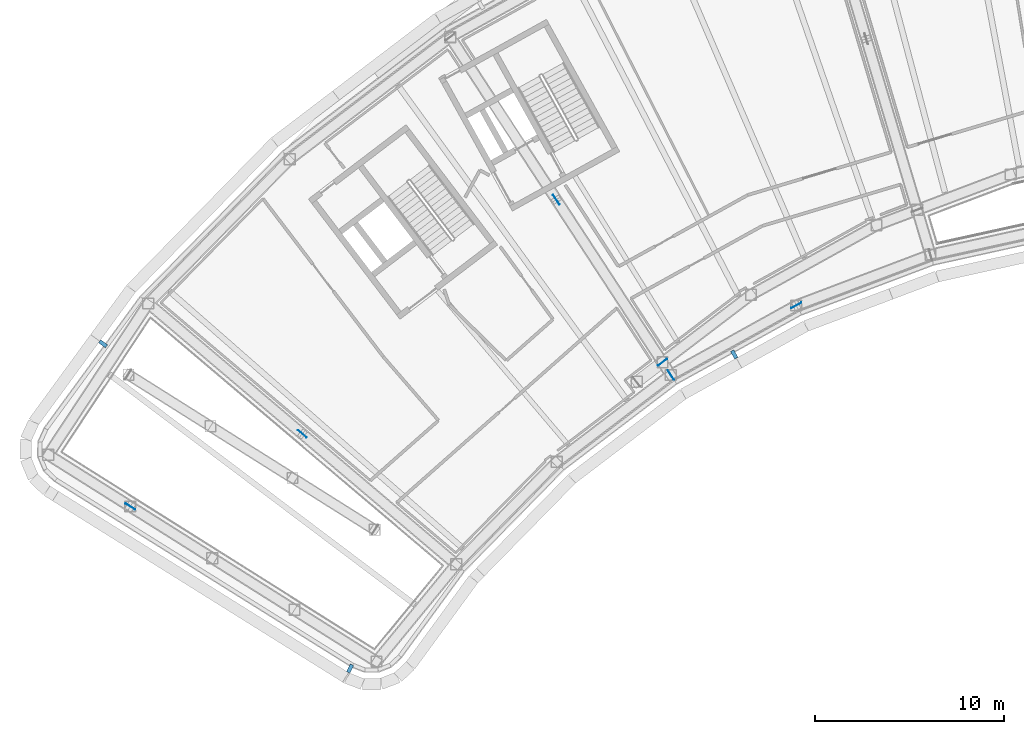
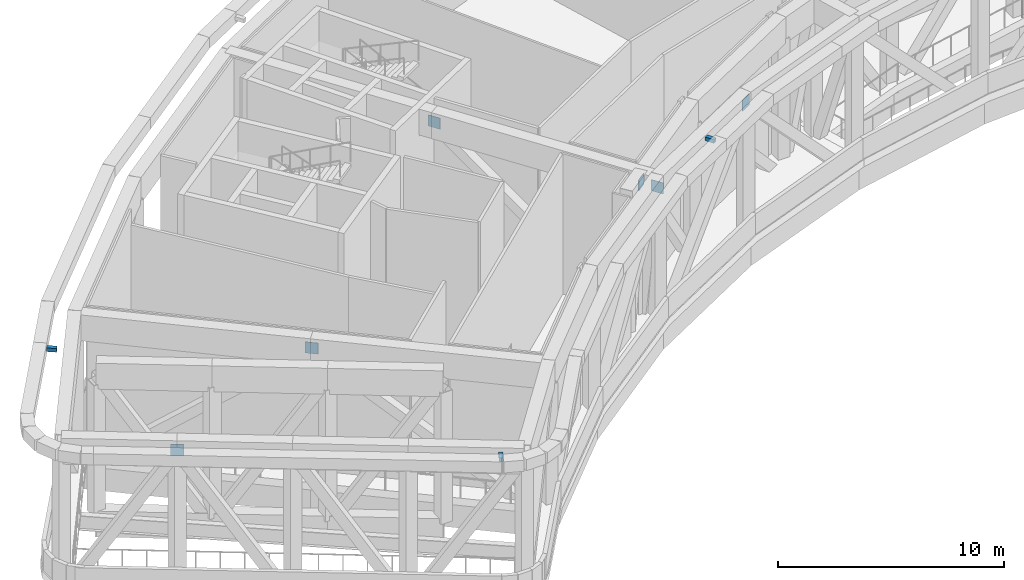
# One storey, part 15 of 24: 9 discrete accessories.
"""IFC4 building model written with IfcOpenShell, lengths in metres."""

from ifc_helpers import new_model, si_unit, direction, frame, origin, origin_2d, place, context, subcontext, project, spatial, rectangle, extrude, material, type_object, element, save


model = new_model("IFC4")

# Units and contexts
model_context = context("Model", 3, precision=1e-05, world=origin(), true_north=direction((0.0, 1.0)))
body_context = subcontext(model_context, "Body", "Model", "MODEL_VIEW")
ifc_project = project(units=[si_unit("LENGTHUNIT", "METRE"), si_unit("AREAUNIT", "SQUARE_METRE"), si_unit("VOLUMEUNIT", "CUBIC_METRE"), si_unit("PLANEANGLEUNIT", "RADIAN"), si_unit("MASSUNIT", "GRAM", prefix="KILO")], contexts=[model_context])

# Site, building, storey
site_placement = place(None, origin())
site = spatial("IfcSite", under=ifc_project, at=site_placement, CompositionType="ELEMENT")
building_placement = place(site_placement, origin())
building = spatial("IfcBuilding", under=site, at=building_placement, Name="Tuul Gate Civic Tower", CompositionType="ELEMENT")
storey_placement = place(building_placement, frame((0.0, 0.0, 277.800048828125)))
storey = spatial("IfcBuildingStorey", under=building, at=storey_placement, Name="Wind floor 2", CompositionType="ELEMENT", Elevation=277.800048828125)

# Discrete accessories
ifc_material_1 = material(Name="Steel S355", Category="steel")
discrete_accessory_type_1 = type_object("IfcDiscreteAccessoryType", Name="Gusset plate", PredefinedType="BRACKET", material=ifc_material_1)
for number, where, z_axis, x_axis, name in (
    (1, (-41.4384765625, -23.78857421875, 6.602783203125), (0.0, 0.0, 1.0), (-0.76282474496, 0.646605295738, 0.0), "Gusset plate"),
    (2, (-27.99658203125, -11.3935546875, 6.60302734375), (0.0, 0.0, 1.0), (-0.54674333885, 0.837300257627, 0.0), "Gusset plate"),
    (3, (-21.9365234375, -20.671142578125, 6.604248046875), (0.0, 0.0, 1.0), (-0.54674333885, 0.837300257627, 0.0), "Gusset plate"),
    (4, (-22.380126953125, -19.99658203125, 6.604248046875), (0.0, 0.0, 1.0), (-0.795616135693, -0.605801093284, 0.0), "Gusset plate"),
    (5, (-15.298095703125, -16.99169921875, 6.603515625), (0.0, 0.0, 1.0), (-0.874653889523, -0.484747948467, 0.0), "Gusset plate"),
    (6, (-50.5400390625, -27.631103515625, 6.60400390625), (0.0, 0.0, 1.0), (-0.84627513954, 0.532746082291, 0.0), "Gusset plate"),
):
    element("IfcDiscreteAccessory", number, at=place(storey_placement, frame(where, z_axis=z_axis, x_axis=x_axis)), inside=storey, type_object=discrete_accessory_type_1, Name=name, PredefinedType="BRACKET", context=body_context, shape_type="SweptSolid", body=[
        extrude(rectangle(XDim=0.60009765625, YDim=0.030029296875, at=origin_2d()), origin(), (0.0, 0.0, 1.0), 0.60009765625),
    ])
ifc_material_2 = material(Name="Stainless steel", Category="steel")
discrete_accessory_type_2 = type_object("IfcDiscreteAccessoryType", Name="Screen bracket", PredefinedType="BRACKET", material=ifc_material_2)
discrete_accessory_1_placement = place(storey_placement, frame((-51.980224609375, -19.020751953125, 7.5498046875), z_axis=(0.0, 0.0, 1.0), x_axis=(-0.802893433111, 0.596122583927, 0.0)))
element("IfcDiscreteAccessory", 7, at=discrete_accessory_1_placement, inside=storey, type_object=discrete_accessory_type_2, Name="Screen bracket 16", PredefinedType="BRACKET", context=body_context, shape_type="SweptSolid", body=[
    extrude(rectangle(XDim=0.449951171875, YDim=0.199951171875, at=origin_2d()), origin(), (0.0, 0.0, 1.0), 0.199951171875),
])
discrete_accessory_2_placement = place(storey_placement, frame((-38.904296875, -36.20361328125, 7.5498046875), z_axis=(0.0, 0.0, 1.0), x_axis=(-0.448604729074, -0.89373027086, 0.0)))
element("IfcDiscreteAccessory", 8, at=discrete_accessory_2_placement, inside=storey, type_object=discrete_accessory_type_2, Name="Screen bracket 19", PredefinedType="BRACKET", context=body_context, shape_type="SweptSolid", body=[
    extrude(rectangle(XDim=0.451904296875, YDim=0.199951171875, at=origin_2d()), origin(), (0.0, 0.0, 1.0), 0.199951171875),
])
discrete_accessory_3_placement = place(storey_placement, frame((-18.58349609375, -19.584228515625, 7.5498046875), z_axis=(0.0, 0.0, 1.0), x_axis=(0.490458166846, -0.871464736277, 0.0)))
element("IfcDiscreteAccessory", 9, at=discrete_accessory_3_placement, inside=storey, type_object=discrete_accessory_type_2, Name="Screen bracket 22", PredefinedType="BRACKET", context=body_context, shape_type="SweptSolid", body=[
    extrude(rectangle(XDim=0.449951171875, YDim=0.199951171875, at=origin_2d()), origin(), (0.0, 0.0, 1.0), 0.199951171875),
])

save(model, "model.ifc")
